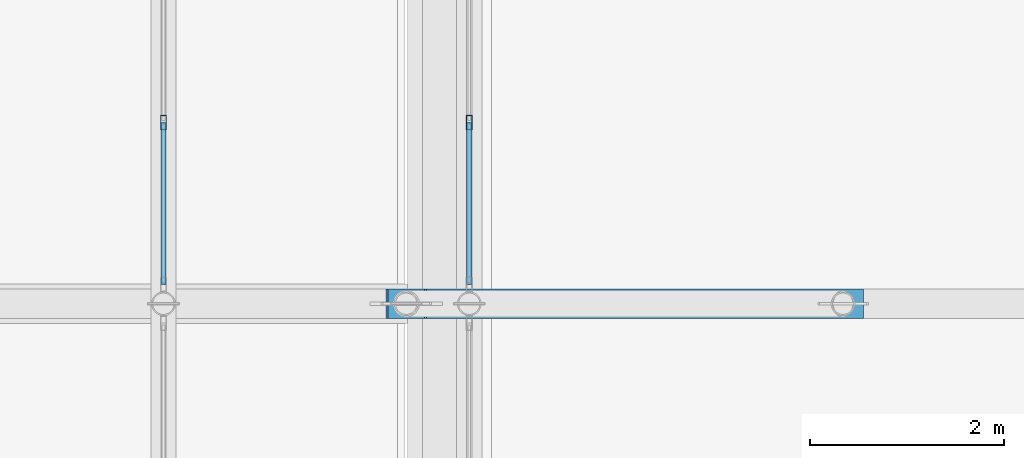
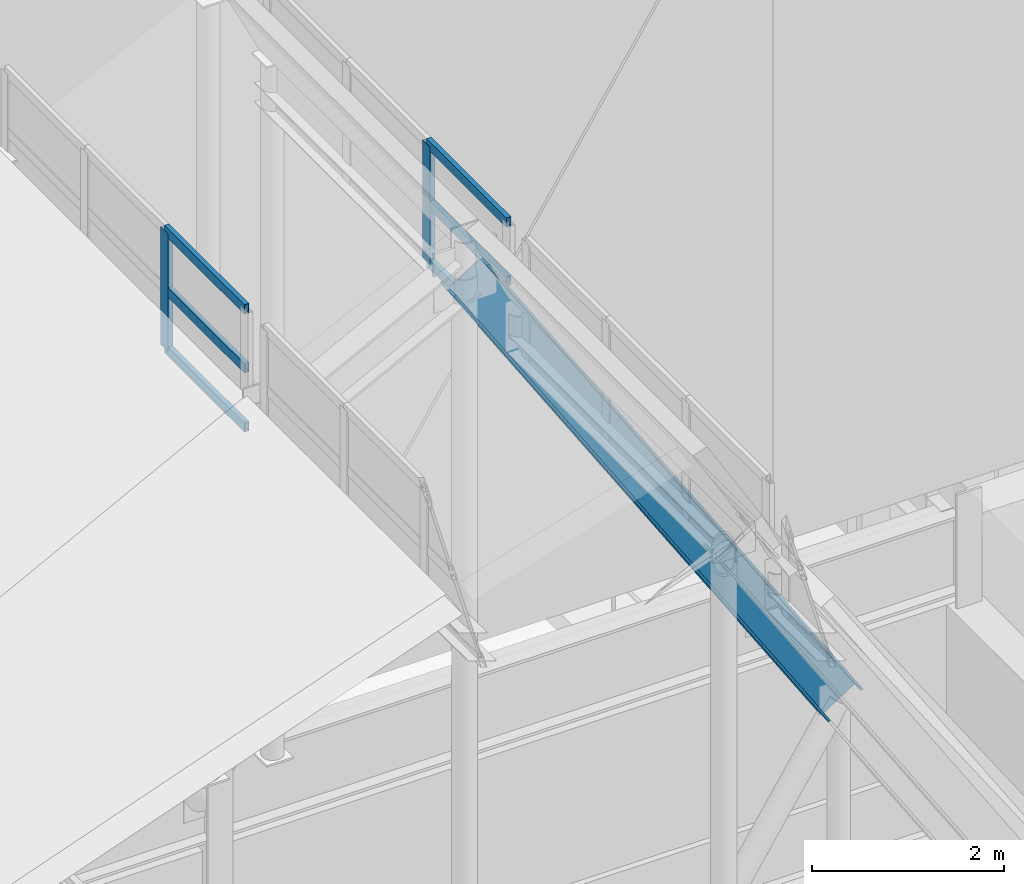
# One storey, part 24 of 84: 9 members, 2 elements without a shape of their own.
"""IFC4 building model written with IfcOpenShell, lengths in metres."""

import ifcopenshell
import ifcopenshell.guid

model = None  # the IFC model being written
_history = None  # IfcOwnerHistory: only IFC2X3 demands one
_inside = {}  # id of a spatial element -> (the spatial element, [elements in it])
_under = {}  # id of a project, library or spatial element -> (it, [spatial elements below it])
_declared = {}  # id of a project -> (the project, [libraries it declares])
_typed = {}  # id of a type object -> (the type object, [elements of that type])
_made_of = {}  # id of a material, layer set ... -> (it, [elements and type objects made of it])


def new_model(schema):
    """Start an empty IFC model of exactly this schema.

    Asked for "IFC4X3", IfcOpenShell would pick the latest addendum, in which some entities
    have other attributes; the version numbers below select the first issue.
    IFC2X3 requires an IfcOwnerHistory on every rooted entity: one is made here for all.
    """
    global model, _history
    if schema == "IFC4X3":
        model = ifcopenshell.file(schema_version=(4, 3, 0, 0))
    else:
        model = ifcopenshell.file(schema=schema)
    _inside.clear()
    _under.clear()
    _declared.clear()
    _typed.clear()
    _made_of.clear()
    _history = None
    if model.schema == "IFC2X3":
        org = make("IfcOrganization", Name="unknown")
        user = make(
            "IfcPersonAndOrganization",
            ThePerson=make("IfcPerson", FamilyName="unknown"),
            TheOrganization=org,
        )
        app = make(
            "IfcApplication",
            ApplicationDeveloper=org,
            Version="unknown",
            ApplicationFullName="unknown",
            ApplicationIdentifier="unknown",
        )
        _history = make(
            "IfcOwnerHistory",
            OwningUser=user,
            OwningApplication=app,
            ChangeAction="ADDED",
            CreationDate=0,
        )
    return model


def make(cls, **values):
    """One entity of the class cls with the attributes given. An attribute that is None is left unset."""
    return model.create_entity(
        cls, **{name: value for name, value in values.items() if value is not None}
    )


def rooted(cls, **values):
    """An entity with a GlobalId (a new one), such as an element, a storey or a relation."""
    return make(cls, GlobalId=ifcopenshell.guid.new(), OwnerHistory=_history, **values)


def si_unit(unit_type, name, prefix=None):
    """IfcSIUnit, for example si_unit("LENGTHUNIT", "METRE", prefix="MILLI")."""
    return make("IfcSIUnit", UnitType=unit_type, Prefix=prefix, Name=name)


def assignment(units):
    """IfcUnitAssignment: the units of a project."""
    return None if units is None else make("IfcUnitAssignment", Units=units)


def point(xyz):
    """IfcCartesianPoint."""
    return None if xyz is None else make("IfcCartesianPoint", Coordinates=xyz)


def direction(xyz):
    """IfcDirection."""
    return None if xyz is None else make("IfcDirection", DirectionRatios=xyz)


def frame(location, z_axis=None, x_axis=None):
    """IfcAxis2Placement3D, a coordinate frame: its origin and axes. An axis left out is left unset."""
    return make(
        "IfcAxis2Placement3D",
        Location=point(location),
        Axis=direction(z_axis),
        RefDirection=direction(x_axis),
    )


def frame_2d(location, x_axis=None):
    """IfcAxis2Placement2D, a coordinate frame in the plane: its origin and x axis."""
    return make(
        "IfcAxis2Placement2D", Location=point(location), RefDirection=direction(x_axis)
    )


def origin():
    """The frame at (0, 0, 0) with its axes left unset."""
    return frame((0.0, 0.0, 0.0))


def origin_2d():
    """The frame at (0, 0) in the plane with its x axis left unset."""
    return frame_2d((0.0, 0.0))


def place(relative_to, where):
    """IfcLocalPlacement: puts the frame where relative to a parent placement (None: the world)."""
    return make(
        "IfcLocalPlacement", PlacementRelTo=relative_to, RelativePlacement=where
    )


def context(
    kind, dimensions, precision=None, world=None, true_north=None, identifier=None
):
    """IfcGeometricRepresentationContext, for example the 3D "Model" context."""
    return make(
        "IfcGeometricRepresentationContext",
        ContextIdentifier=identifier,
        ContextType=kind,
        CoordinateSpaceDimension=dimensions,
        Precision=precision,
        WorldCoordinateSystem=world,
        TrueNorth=true_north,
    )


def subcontext(parent, identifier, kind, view, scale=None):
    """IfcGeometricRepresentationSubContext, for example "Body" below "Model"."""
    return make(
        "IfcGeometricRepresentationSubContext",
        ContextIdentifier=identifier,
        ContextType=kind,
        ParentContext=parent,
        TargetScale=scale,
        TargetView=view,
    )


def project(units=None, contexts=None):
    """IfcProject with its units and contexts."""
    return rooted(
        "IfcProject",
        Name="project",
        RepresentationContexts=contexts,
        UnitsInContext=assignment(units),
    )


def spatial(cls, under=None, at=None, **own):
    """A site, building, storey or space (cls), placed at a placement, below another one or the project."""
    s = rooted(cls, ObjectPlacement=at, **own)
    if under is not None:
        _under.setdefault(under.id(), (under, []))[1].append(s)
    return s


def profile(cls, at=None, kind="AREA", **sizes):
    """A parametric profile (cls). Its sizes go by their IFC names, for example OverallWidth=200.0."""
    return make(cls, ProfileType=kind, Position=at, **sizes)


def hollow_rectangle(**sizes):
    """IfcRectangleHollowProfileDef."""
    return profile("IfcRectangleHollowProfileDef", **sizes)


def i_section(**sizes):
    """IfcIShapeProfileDef."""
    return profile("IfcIShapeProfileDef", **sizes)


def extrude(swept, where, along, depth):
    """IfcExtrudedAreaSolid: the profile swept, set in the frame where, extruded along a direction by depth."""
    return make(
        "IfcExtrudedAreaSolid",
        SweptArea=swept,
        Position=where,
        ExtrudedDirection=direction(along),
        Depth=depth,
    )


def shape(context_of_items, identifier, shape_type, items):
    """IfcShapeRepresentation: the items that make up one representation, for example the "Body"."""
    return make(
        "IfcShapeRepresentation",
        ContextOfItems=context_of_items,
        RepresentationIdentifier=identifier,
        RepresentationType=shape_type,
        Items=items,
    )


def material(Name=None, Category=None):
    """IfcMaterial."""
    return make("IfcMaterial", Name=Name, Category=Category)


def layer(
    of_material, thickness, ventilated=None, Name=None, Category=None, Priority=None
):
    """IfcMaterialLayer: one layer of a wall or slab, of a material (None: an air gap)."""
    return make(
        "IfcMaterialLayer",
        Material=of_material,
        LayerThickness=thickness,
        IsVentilated=ventilated,
        Name=Name,
        Category=Category,
        Priority=Priority,
    )


def layer_set(layers, Name=None):
    """IfcMaterialLayerSet."""
    return make("IfcMaterialLayerSet", MaterialLayers=layers, LayerSetName=Name)


def material_profile(
    of_material, cross_section, Name=None, Category=None, Priority=None
):
    """IfcMaterialProfile: a cross section and its material."""
    return make(
        "IfcMaterialProfile",
        Name=Name,
        Material=of_material,
        Profile=cross_section,
        Priority=Priority,
        Category=Category,
    )


def profile_set(profiles, Name=None, composite=None):
    """IfcMaterialProfileSet."""
    return make(
        "IfcMaterialProfileSet",
        Name=Name,
        MaterialProfiles=profiles,
        CompositeProfile=composite,
    )


def made_of(thing, what):
    """Note that an element or type object is made of a material, layer set ...; save() writes the relation."""
    if what is not None:
        _made_of.setdefault(what.id(), (what, []))[1].append(thing)
    return thing


def type_object(cls, material=None, **own):
    """A type object (cls), such as IfcWallType, which elements share."""
    return made_of(rooted(cls, **own), material)


def element(
    cls,
    number,
    at=None,
    inside=None,
    cuts=None,
    type_object=None,
    material=None,
    context=None,
    identifier="Body",
    shape_type=None,
    held_by="IfcProductDefinitionShape",
    body=None,
    shapes=None,
    **own,
):
    """One element of the class cls, such as IfcWall. Its Tag is "e" and its number.

    at: its placement. inside: the storey or other place that contains it. cuts: it is an
    opening in that element (IfcRelVoidsElement). A single representation is given by context,
    identifier, shape_type and body (its items); several are given by shapes. held_by: the class
    of the entity that holds the representations. save() writes the other relations.
    """
    e = rooted(cls, Tag="e%d" % number, ObjectPlacement=at, **own)
    if body is not None:
        shapes = [shape(context, identifier, shape_type, body)]
    if shapes is not None:
        e.Representation = make(held_by, Representations=shapes)
    if inside is not None:
        _inside.setdefault(inside.id(), (inside, []))[1].append(e)
    if cuts is not None:
        rooted(
            "IfcRelVoidsElement", RelatingBuildingElement=cuts, RelatedOpeningElement=e
        )
    if type_object is not None:
        _typed.setdefault(type_object.id(), (type_object, []))[1].append(e)
    return made_of(e, material)


def aggregate(whole, parts):
    """IfcRelAggregates: a whole, such as a stair, and the parts it consists of."""
    return rooted("IfcRelAggregates", RelatingObject=whole, RelatedObjects=parts)


def save(model, path):
    """Write the relations noted so far, then the file.

    IfcRelAggregates (storeys below a building ...), IfcRelContainedInSpatialStructure (elements
    in a storey), IfcRelDefinesByType, IfcRelAssociatesMaterial and IfcRelDeclares: one each for
    every whole, place, type object, material and project.
    """
    for whole, parts in _under.values():
        aggregate(whole, parts)
    for where, things in _inside.values():
        rooted(
            "IfcRelContainedInSpatialStructure",
            RelatedElements=things,
            RelatingStructure=where,
        )
    for kind, things in _typed.values():
        rooted("IfcRelDefinesByType", RelatedObjects=things, RelatingType=kind)
    for what, things in _made_of.values():
        rooted("IfcRelAssociatesMaterial", RelatedObjects=things, RelatingMaterial=what)
    for by, libraries in _declared.values():
        rooted("IfcRelDeclares", RelatingContext=by, RelatedDefinitions=libraries)
    model.write(path)


model = new_model("IFC4")

# Units and contexts
model_context = context("Model", 3, precision=1e-05, world=origin(), true_north=direction((0.0, 1.0)))
body_context = subcontext(model_context, "Body", "Model", "MODEL_VIEW")
ifc_project = project(units=[si_unit("LENGTHUNIT", "METRE"), si_unit("AREAUNIT", "SQUARE_METRE"), si_unit("VOLUMEUNIT", "CUBIC_METRE"), si_unit("PLANEANGLEUNIT", "RADIAN"), si_unit("MASSUNIT", "GRAM", prefix="KILO")], contexts=[model_context])

# Site, building, storey
site_placement = place(None, origin())
site = spatial("IfcSite", under=ifc_project, at=site_placement, CompositionType="ELEMENT")
building_placement = place(site_placement, origin())
building = spatial("IfcBuilding", under=site, at=building_placement, Name="Sundgate Opera House", CompositionType="ELEMENT")
storey_placement = place(building_placement, frame((0.0, 0.0, 30.60009765625)))
storey = spatial("IfcBuildingStorey", under=building, at=storey_placement, Name="L06", CompositionType="ELEMENT", Elevation=30.60009765625)

# Curtain wall, member
ifc_material_1 = material(Name="Anodized aluminium and low-iron glass", Category="aluminium")
ifc_layer = layer(ifc_material_1, 0.169921875)
ifc_layer_set = layer_set([ifc_layer], Name="Anodized aluminium and low-iron glass")
curtain_wall_type = type_object("IfcCurtainWallType", Name="CW-LANTERN-POLY", PredefinedType="NOTDEFINED", material=ifc_layer_set)
curtain_wall_1_placement = place(storey_placement, origin())
curtain_wall_1 = element("IfcCurtainWall", 1, at=curtain_wall_1_placement, inside=storey, type_object=curtain_wall_type, Name="L06 Curtain Wall CW177", PredefinedType="NOTDEFINED")
ifc_material_2 = material(Name="Anodized aluminium EN AW-6063", Category="aluminium")
ifc_material_profile_1 = material_profile(ifc_material_2, hollow_rectangle(XDim=0.06005859375, YDim=0.14990234375, WallThickness=0.00390625, at=origin_2d()), Name="CWM 150x60x4")
ifc_profile_set_1 = profile_set([ifc_material_profile_1], Name="Anodized aluminium EN AW-6063")
member_type_1 = type_object("IfcMemberType", Name="CWM-ALU-150x60", PredefinedType="MULLION", material=ifc_profile_set_1)
member_1_placement = place(storey_placement, frame((51.5, 56.466552734375, 12.0), z_axis=(0.0, 0.0, 1.0), x_axis=(1.0, 0.0, 0.0)))
member_1 = element("IfcMember", 2, at=member_1_placement, type_object=member_type_1, Name="CW177 Mullion 3", PredefinedType="MULLION", context=body_context, shape_type="SweptSolid", body=[
    extrude(hollow_rectangle(XDim=0.06005859375, YDim=0.14990234375, WallThickness=0.00390625, at=origin_2d()), origin(), (0.0, 0.0, 1.0), 1.5),
])

curtain_wall_2_placement = place(storey_placement, origin())
curtain_wall_2 = element("IfcCurtainWall", 3, at=curtain_wall_2_placement, inside=storey, type_object=curtain_wall_type, Name="L06 Curtain Wall CW178", PredefinedType="NOTDEFINED")
member_2_placement = place(storey_placement, frame((54.64990234375, 56.466552734375, 12.0), z_axis=(0.0, 0.0, 1.0), x_axis=(1.0, 0.0, 0.0)))
member_2 = element("IfcMember", 4, at=member_2_placement, type_object=member_type_1, Name="CW178 Mullion 2", PredefinedType="MULLION", context=body_context, shape_type="SweptSolid", body=[
    extrude(hollow_rectangle(XDim=0.06005859375, YDim=0.14990234375, WallThickness=0.00390625, at=origin_2d()), origin(), (0.0, 0.0, 1.0), 1.5),
])

# Member
ifc_material_3 = material(Name="Anodized aluminium EN AW-6063", Category="aluminium")
ifc_material_profile_2 = material_profile(ifc_material_3, hollow_rectangle(XDim=0.054931640625, YDim=0.1201171875, WallThickness=0.00390625, at=origin_2d()), Name="CWT 120x55x4")
ifc_profile_set_2 = profile_set([ifc_material_profile_2], Name="Anodized aluminium EN AW-6063")
member_type_2 = type_object("IfcMemberType", Name="CWT-ALU-120x55", PredefinedType="USERDEFINED", material=ifc_profile_set_2)
member_3_placement = place(storey_placement, frame((51.5, 56.466552734375, 12.0), z_axis=(0.0, -1.0, 0.0), x_axis=(1.0, 0.0, 0.0)))
member_3 = element("IfcMember", 5, at=member_3_placement, type_object=member_type_2, Name="CW177 Transom 7", ObjectType="TRANSOM", PredefinedType="USERDEFINED", context=body_context, shape_type="SweptSolid", body=[
    extrude(hollow_rectangle(XDim=0.054931640625, YDim=0.1201171875, WallThickness=0.00390625, at=origin_2d()), origin(), (0.0, 0.0, 1.0), 1.66650390625),
])

member_4_placement = place(storey_placement, frame((51.5, 56.466552734375, 12.75), z_axis=(0.0, -1.0, 0.0), x_axis=(1.0, 0.0, 0.0)))
member_4 = element("IfcMember", 6, at=member_4_placement, type_object=member_type_2, Name="CW177 Transom 8", ObjectType="TRANSOM", PredefinedType="USERDEFINED", context=body_context, shape_type="SweptSolid", body=[
    extrude(hollow_rectangle(XDim=0.054931640625, YDim=0.1201171875, WallThickness=0.00390625, at=origin_2d()), origin(), (0.0, 0.0, 1.0), 1.66650390625),
])

member_5_placement = place(storey_placement, frame((51.5, 56.466552734375, 13.5), z_axis=(0.0, -1.0, 0.0), x_axis=(1.0, 0.0, 0.0)))
member_5 = element("IfcMember", 7, at=member_5_placement, type_object=member_type_2, Name="CW177 Transom 9", ObjectType="TRANSOM", PredefinedType="USERDEFINED", context=body_context, shape_type="SweptSolid", body=[
    extrude(hollow_rectangle(XDim=0.054931640625, YDim=0.1201171875, WallThickness=0.00390625, at=origin_2d()), origin(), (0.0, 0.0, 1.0), 1.66650390625),
])

aggregate(curtain_wall_1, [member_1, member_3, member_4, member_5])

member_6_placement = place(storey_placement, frame((54.64990234375, 54.800048828125, 12.0), z_axis=(0.0, 1.0, 0.0), x_axis=(-1.0, 0.0, 0.0)))
member_6 = element("IfcMember", 8, at=member_6_placement, type_object=member_type_2, Name="CW178 Transom 1", ObjectType="TRANSOM", PredefinedType="USERDEFINED", context=body_context, shape_type="SweptSolid", body=[
    extrude(hollow_rectangle(XDim=0.054931640625, YDim=0.1201171875, WallThickness=0.00390625, at=origin_2d()), origin(), (0.0, 0.0, 1.0), 1.66650390625),
])

member_7_placement = place(storey_placement, frame((54.64990234375, 54.800048828125, 12.75), z_axis=(0.0, 1.0, 0.0), x_axis=(-1.0, 0.0, 0.0)))
member_7 = element("IfcMember", 9, at=member_7_placement, type_object=member_type_2, Name="CW178 Transom 2", ObjectType="TRANSOM", PredefinedType="USERDEFINED", context=body_context, shape_type="SweptSolid", body=[
    extrude(hollow_rectangle(XDim=0.054931640625, YDim=0.1201171875, WallThickness=0.00390625, at=origin_2d()), origin(), (0.0, 0.0, 1.0), 1.66650390625),
])

member_8_placement = place(storey_placement, frame((54.64990234375, 54.800048828125, 13.5), z_axis=(0.0, 1.0, 0.0), x_axis=(-1.0, 0.0, 0.0)))
member_8 = element("IfcMember", 10, at=member_8_placement, type_object=member_type_2, Name="CW178 Transom 3", ObjectType="TRANSOM", PredefinedType="USERDEFINED", context=body_context, shape_type="SweptSolid", body=[
    extrude(hollow_rectangle(XDim=0.054931640625, YDim=0.1201171875, WallThickness=0.00390625, at=origin_2d()), origin(), (0.0, 0.0, 1.0), 1.66650390625),
])

aggregate(curtain_wall_2, [member_2, member_6, member_7, member_8])

ifc_material_4 = material(Name="Steel S355J2", Category="steel")
ifc_material_profile_3 = material_profile(ifc_material_4, i_section(OverallWidth=0.300048828125, OverallDepth=0.5, WebThickness=0.014404296875, FlangeThickness=0.028076171875, at=origin_2d()), Name="HEB 500")
ifc_profile_set_3 = profile_set([ifc_material_profile_3], Name="Steel S355J2")
member_type_3 = type_object("IfcMemberType", Name="MB-CHORD-HEB500", PredefinedType="CHORD", material=ifc_profile_set_3)
member_9_placement = place(storey_placement, frame((54.0, 54.60009765625, 13.199951171875), z_axis=(0.541853645841, 0.0, -0.840472858865), x_axis=(0.0, 1.0, 0.0)))
element("IfcMember", 11, at=member_9_placement, inside=storey, type_object=member_type_3, Name="L06 Auditorium Truss Top Chord M0112", PredefinedType="CHORD", context=body_context, shape_type="SweptSolid", body=[
    extrude(i_section(OverallWidth=0.300048828125, OverallDepth=0.5, WebThickness=0.014404296875, FlangeThickness=0.028076171875, at=origin_2d()), origin(), (0.0, 0.0, 1.0), 8.304931640625),
])

save(model, "model.ifc")
